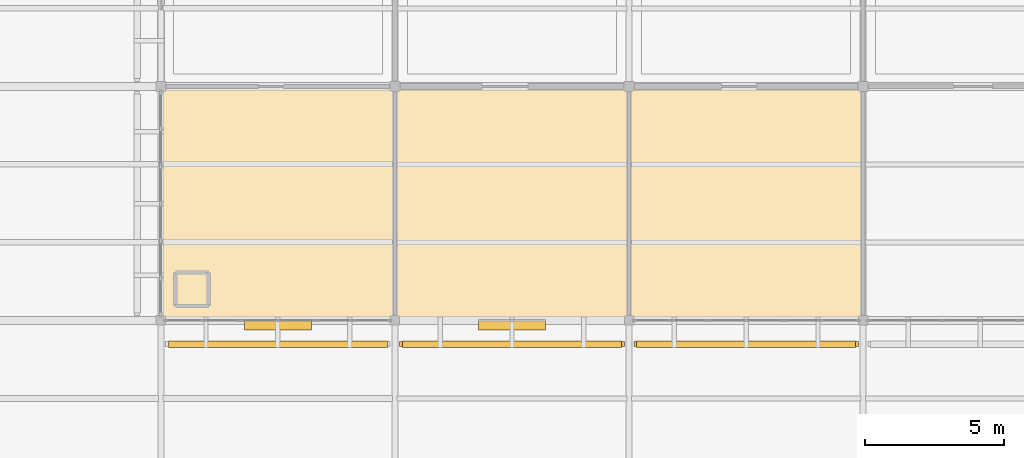
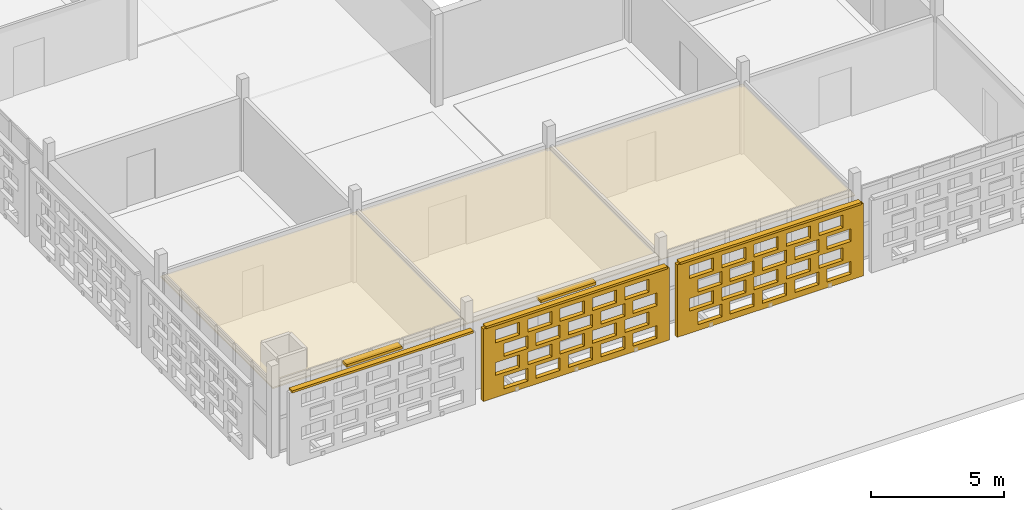
# One storey, part 151 of 166: 5 coverings, 5 shading devices, 40 openings.
"""IFC4 building model written with IfcOpenShell, lengths in metres."""

from ifc_helpers import new_model, si_unit, direction, frame, frame_2d, origin, origin_2d, place, context, subcontext, project, spatial, rectangle, extrude, material, layer, layer_set, type_object, element, save


model = new_model("IFC4")

# Units and contexts
model_context = context("Model", 3, precision=1e-05, world=origin(), true_north=direction((0.0, 1.0)))
body_context = subcontext(model_context, "Body", "Model", "MODEL_VIEW")
ifc_project = project(units=[si_unit("LENGTHUNIT", "METRE"), si_unit("AREAUNIT", "SQUARE_METRE"), si_unit("VOLUMEUNIT", "CUBIC_METRE"), si_unit("PLANEANGLEUNIT", "RADIAN"), si_unit("MASSUNIT", "GRAM", prefix="KILO")], contexts=[model_context])

# Site, building, storey
site_placement = place(None, origin())
site = spatial("IfcSite", under=ifc_project, at=site_placement, CompositionType="ELEMENT")
building_placement = place(site_placement, origin())
building = spatial("IfcBuilding", under=site, at=building_placement, Name="Varnapada Polytechnic", CompositionType="ELEMENT")
storey_placement = place(building_placement, frame((0.0, 0.0, 9.60009765625)))
storey = spatial("IfcBuildingStorey", under=building, at=storey_placement, Name="L02", CompositionType="ELEMENT", Elevation=9.60009765625)

# Shading devices
ifc_material_1 = material(Name="Anodised aluminium", Category="aluminium")
ifc_layer_1 = layer(ifc_material_1, 0.35009765625)
ifc_layer_set_1 = layer_set([ifc_layer_1], Name="Anodised aluminium")
shading_device_type_1 = type_object("IfcShadingDeviceType", Name="Solar Louvre LVR-01", PredefinedType="JALOUSIE", material=ifc_layer_set_1)
for number, where, z_axis, x_axis, name in (
    (1, (138.60009765625, 8.219970703125, 3.159912109375), (0.0, 0.0, 1.0), (-1.0, 0.0, 0.0), "L02 aluminium sun louvre 79"),
    (2, (147.0, 8.219970703125, 3.159912109375), (0.0, 0.0, 1.0), (-1.0, 0.0, 0.0), "L02 aluminium sun louvre 91"),
):
    element("IfcShadingDevice", number, at=place(storey_placement, frame(where, z_axis=z_axis, x_axis=x_axis)), inside=storey, type_object=shading_device_type_1, Name=name, PredefinedType="JALOUSIE", context=body_context, shape_type="SweptSolid", body=[
        extrude(rectangle(XDim=2.39990234375, YDim=0.340087890625, at=origin_2d()), origin(), (0.0, 0.0, 1.0), 0.1201171875),
    ])

# Coverings
ifc_material_2 = material(Name="Moisture-Resistant Aluminum Baffle Ceiling", Category="aluminium")
ifc_layer_2 = layer(ifc_material_2, 0.030029296875)
ifc_layer_set_2 = layer_set([ifc_layer_2], Name="Moisture-Resistant Aluminum Baffle Ceiling")
covering_type_1 = type_object("IfcCoveringType", Name="Suspended Ceiling CLG-03", PredefinedType="CEILING", material=ifc_layer_set_2)
covering_1_placement = place(storey_placement, frame((155.39990234375, 12.60009765625, 3.03466796875), z_axis=(0.0, 0.0, 1.0), x_axis=(1.0, 0.0, 0.0)))
element("IfcCovering", 3, at=covering_1_placement, inside=storey, type_object=covering_type_1, Name="L02 suspended acoustic ceiling (19,2)", PredefinedType="CEILING", context=body_context, shape_type="SweptSolid", body=[
    extrude(rectangle(XDim=8.419921875, YDim=8.419921875, at=origin_2d()), origin(), (0.0, 0.0, 1.0), 0.030029296875),
])
ifc_material_3 = material(Name="Slatted Merbau Timber Acoustic Ceiling", Category="wood")
ifc_layer_3 = layer(ifc_material_3, 0.054931640625)
ifc_layer_set_3 = layer_set([ifc_layer_3], Name="Slatted Merbau Timber Acoustic Ceiling")
covering_type_2 = type_object("IfcCoveringType", Name="Suspended Ceiling CLG-05", PredefinedType="CEILING", material=ifc_layer_set_3)
covering_2_placement = place(storey_placement, frame((147.0, 12.60009765625, 3.0224609375), z_axis=(0.0, 0.0, 1.0), x_axis=(1.0, 0.0, 0.0)))
element("IfcCovering", 4, at=covering_2_placement, inside=storey, type_object=covering_type_2, Name="L02 suspended acoustic ceiling (18,2)", PredefinedType="CEILING", context=body_context, shape_type="SweptSolid", body=[
    extrude(rectangle(XDim=8.419921875, YDim=8.419921875, at=origin_2d()), origin(), (0.0, 0.0, 1.0), 0.054931640625),
])
ifc_material_4 = material(Name="Deep Acoustic Auditorium Cloud Baffle")
ifc_layer_4 = layer(ifc_material_4, 0.06494140625)
ifc_layer_set_4 = layer_set([ifc_layer_4], Name="Deep Acoustic Auditorium Cloud Baffle")
covering_type_3 = type_object("IfcCoveringType", Name="Suspended Ceiling CLG-07", PredefinedType="CEILING", material=ifc_layer_set_4)
covering_3_placement = place(storey_placement, frame((138.60009765625, 12.60009765625, 3.017333984375), z_axis=(0.0, 0.0, 1.0), x_axis=(1.0, 0.0, 0.0)))
element("IfcCovering", 5, at=covering_3_placement, inside=storey, type_object=covering_type_3, Name="L02 suspended acoustic ceiling (17,2)", PredefinedType="CEILING", context=body_context, shape_type="SweptSolid", body=[
    extrude(rectangle(XDim=8.419921875, YDim=8.419921875, at=origin_2d()), origin(), (0.0, 0.0, 1.0), 0.06494140625),
])

# Covering, openings
ifc_material_5 = material(Name="Earth-toned architectural terracotta screen block", Category="masonry")
ifc_layer_5 = layer(ifc_material_5, 0.1201171875)
ifc_layer_set_5 = layer_set([ifc_layer_5], Name="Earth-toned architectural terracotta screen block")
covering_type_4 = type_object("IfcCoveringType", Name="Terracotta Screen Cladding CLD-01", PredefinedType="CLADDING", material=ifc_layer_set_5)
covering_4_placement = place(storey_placement, frame((151.030029296875, 7.550048828125, 0.0), z_axis=(0.0, 0.0, 1.0), x_axis=(-1.0, 0.0, 0.0)))
covering_4 = element("IfcCovering", 6, at=covering_4_placement, inside=storey, type_object=covering_type_4, Name="L02 perforated terracotta block screen (91)", PredefinedType="CLADDING", context=body_context, shape_type="SweptSolid", body=[
    extrude(rectangle(XDim=8.06005859375, YDim=0.179931640625, at=frame_2d((4.030029296875, 0.0))), origin(), (0.0, 0.0, 1.0), 3.31982421875),
])
opening_1_placement = place(covering_4_placement, frame((0.530029296875, 0.0, 0.265625)))
element("IfcOpeningElement", 7, at=opening_1_placement, cuts=covering_4, Name="Screen perforation TBS-L02-090.1", PredefinedType="OPENING", context=body_context, shape_type="SweptSolid", body=[
    extrude(rectangle(XDim=1.0400390625, YDim=0.5810546875, at=frame_2d((0.52001953125, 0.29052734375))), frame((0.0, 0.099853515625, 0.0), z_axis=(0.0, -1.0, 0.0), x_axis=(1.0, 0.0, 0.0)), (0.0, 0.0, 1.0), 0.199951171875),
])
opening_2_placement = place(covering_4_placement, frame((1.929931640625, 0.0, 0.265625)))
element("IfcOpeningElement", 8, at=opening_2_placement, cuts=covering_4, Name="Screen perforation TBS-L02-090.2", PredefinedType="OPENING", context=body_context, shape_type="SweptSolid", body=[
    extrude(rectangle(XDim=1.0400390625, YDim=0.5810546875, at=frame_2d((0.52001953125, 0.29052734375))), frame((0.0, 0.099853515625, 0.0), z_axis=(0.0, -1.0, 0.0), x_axis=(1.0, 0.0, 0.0)), (0.0, 0.0, 1.0), 0.199951171875),
])
opening_3_placement = place(covering_4_placement, frame((3.330078125, 0.0, 0.265625)))
element("IfcOpeningElement", 9, at=opening_3_placement, cuts=covering_4, Name="Screen perforation TBS-L02-090.3", PredefinedType="OPENING", context=body_context, shape_type="SweptSolid", body=[
    extrude(rectangle(XDim=1.0400390625, YDim=0.5810546875, at=frame_2d((0.52001953125, 0.29052734375))), frame((0.0, 0.099853515625, 0.0), z_axis=(0.0, -1.0, 0.0), x_axis=(1.0, 0.0, 0.0)), (0.0, 0.0, 1.0), 0.199951171875),
])
opening_4_placement = place(covering_4_placement, frame((4.72998046875, 0.0, 0.265625)))
element("IfcOpeningElement", 10, at=opening_4_placement, cuts=covering_4, Name="Screen perforation TBS-L02-090.4", PredefinedType="OPENING", context=body_context, shape_type="SweptSolid", body=[
    extrude(rectangle(XDim=1.0400390625, YDim=0.5810546875, at=frame_2d((0.52001953125, 0.29052734375))), frame((0.0, 0.099853515625, 0.0), z_axis=(0.0, -1.0, 0.0), x_axis=(1.0, 0.0, 0.0)), (0.0, 0.0, 1.0), 0.199951171875),
])
opening_5_placement = place(covering_4_placement, frame((6.1298828125, 0.0, 0.265625)))
element("IfcOpeningElement", 11, at=opening_5_placement, cuts=covering_4, Name="Screen perforation TBS-L02-090.5", PredefinedType="OPENING", context=body_context, shape_type="SweptSolid", body=[
    extrude(rectangle(XDim=1.0400390625, YDim=0.5810546875, at=frame_2d((0.52001953125, 0.29052734375))), frame((0.0, 0.099853515625, 0.0), z_axis=(0.0, -1.0, 0.0), x_axis=(1.0, 0.0, 0.0)), (0.0, 0.0, 1.0), 0.199951171875),
])
opening_6_placement = place(covering_4_placement, frame((0.889892578125, 0.0, 1.0126953125)))
element("IfcOpeningElement", 12, at=opening_6_placement, cuts=covering_4, Name="Screen perforation TBS-L02-090.6", PredefinedType="OPENING", context=body_context, shape_type="SweptSolid", body=[
    extrude(rectangle(XDim=1.0400390625, YDim=0.5810546875, at=frame_2d((0.52001953125, 0.29052734375))), frame((0.0, 0.099853515625, 0.0), z_axis=(0.0, -1.0, 0.0), x_axis=(1.0, 0.0, 0.0)), (0.0, 0.0, 1.0), 0.199951171875),
])
opening_7_placement = place(covering_4_placement, frame((2.2900390625, 0.0, 1.0126953125)))
element("IfcOpeningElement", 13, at=opening_7_placement, cuts=covering_4, Name="Screen perforation TBS-L02-090.7", PredefinedType="OPENING", context=body_context, shape_type="SweptSolid", body=[
    extrude(rectangle(XDim=1.0400390625, YDim=0.5810546875, at=frame_2d((0.52001953125, 0.29052734375))), frame((0.0, 0.099853515625, 0.0), z_axis=(0.0, -1.0, 0.0), x_axis=(1.0, 0.0, 0.0)), (0.0, 0.0, 1.0), 0.199951171875),
])
opening_8_placement = place(covering_4_placement, frame((3.68994140625, 0.0, 1.0126953125)))
element("IfcOpeningElement", 14, at=opening_8_placement, cuts=covering_4, Name="Screen perforation TBS-L02-090.8", PredefinedType="OPENING", context=body_context, shape_type="SweptSolid", body=[
    extrude(rectangle(XDim=1.0400390625, YDim=0.5810546875, at=frame_2d((0.52001953125, 0.29052734375))), frame((0.0, 0.099853515625, 0.0), z_axis=(0.0, -1.0, 0.0), x_axis=(1.0, 0.0, 0.0)), (0.0, 0.0, 1.0), 0.199951171875),
])
opening_9_placement = place(covering_4_placement, frame((5.090087890625, 0.0, 1.0126953125)))
element("IfcOpeningElement", 15, at=opening_9_placement, cuts=covering_4, Name="Screen perforation TBS-L02-090.9", PredefinedType="OPENING", context=body_context, shape_type="SweptSolid", body=[
    extrude(rectangle(XDim=1.0400390625, YDim=0.5810546875, at=frame_2d((0.52001953125, 0.29052734375))), frame((0.0, 0.099853515625, 0.0), z_axis=(0.0, -1.0, 0.0), x_axis=(1.0, 0.0, 0.0)), (0.0, 0.0, 1.0), 0.199951171875),
])
opening_10_placement = place(covering_4_placement, frame((6.489990234375, 0.0, 1.0126953125)))
element("IfcOpeningElement", 16, at=opening_10_placement, cuts=covering_4, Name="Screen perforation TBS-L02-090.10", PredefinedType="OPENING", context=body_context, shape_type="SweptSolid", body=[
    extrude(rectangle(XDim=1.0400390625, YDim=0.5810546875, at=frame_2d((0.52001953125, 0.29052734375))), frame((0.0, 0.099853515625, 0.0), z_axis=(0.0, -1.0, 0.0), x_axis=(1.0, 0.0, 0.0)), (0.0, 0.0, 1.0), 0.199951171875),
])
opening_11_placement = place(covering_4_placement, frame((0.530029296875, 0.0, 1.759521484375)))
element("IfcOpeningElement", 17, at=opening_11_placement, cuts=covering_4, Name="Screen perforation TBS-L02-090.11", PredefinedType="OPENING", context=body_context, shape_type="SweptSolid", body=[
    extrude(rectangle(XDim=1.0400390625, YDim=0.5810546875, at=frame_2d((0.52001953125, 0.29052734375))), frame((0.0, 0.099853515625, 0.0), z_axis=(0.0, -1.0, 0.0), x_axis=(1.0, 0.0, 0.0)), (0.0, 0.0, 1.0), 0.199951171875),
])
opening_12_placement = place(covering_4_placement, frame((1.929931640625, 0.0, 1.759521484375)))
element("IfcOpeningElement", 18, at=opening_12_placement, cuts=covering_4, Name="Screen perforation TBS-L02-090.12", PredefinedType="OPENING", context=body_context, shape_type="SweptSolid", body=[
    extrude(rectangle(XDim=1.0400390625, YDim=0.5810546875, at=frame_2d((0.52001953125, 0.29052734375))), frame((0.0, 0.099853515625, 0.0), z_axis=(0.0, -1.0, 0.0), x_axis=(1.0, 0.0, 0.0)), (0.0, 0.0, 1.0), 0.199951171875),
])
opening_13_placement = place(covering_4_placement, frame((3.330078125, 0.0, 1.759521484375)))
element("IfcOpeningElement", 19, at=opening_13_placement, cuts=covering_4, Name="Screen perforation TBS-L02-090.13", PredefinedType="OPENING", context=body_context, shape_type="SweptSolid", body=[
    extrude(rectangle(XDim=1.0400390625, YDim=0.5810546875, at=frame_2d((0.52001953125, 0.29052734375))), frame((0.0, 0.099853515625, 0.0), z_axis=(0.0, -1.0, 0.0), x_axis=(1.0, 0.0, 0.0)), (0.0, 0.0, 1.0), 0.199951171875),
])
opening_14_placement = place(covering_4_placement, frame((4.72998046875, 0.0, 1.759521484375)))
element("IfcOpeningElement", 20, at=opening_14_placement, cuts=covering_4, Name="Screen perforation TBS-L02-090.14", PredefinedType="OPENING", context=body_context, shape_type="SweptSolid", body=[
    extrude(rectangle(XDim=1.0400390625, YDim=0.5810546875, at=frame_2d((0.52001953125, 0.29052734375))), frame((0.0, 0.099853515625, 0.0), z_axis=(0.0, -1.0, 0.0), x_axis=(1.0, 0.0, 0.0)), (0.0, 0.0, 1.0), 0.199951171875),
])
opening_15_placement = place(covering_4_placement, frame((6.1298828125, 0.0, 1.759521484375)))
element("IfcOpeningElement", 21, at=opening_15_placement, cuts=covering_4, Name="Screen perforation TBS-L02-090.15", PredefinedType="OPENING", context=body_context, shape_type="SweptSolid", body=[
    extrude(rectangle(XDim=1.0400390625, YDim=0.5810546875, at=frame_2d((0.52001953125, 0.29052734375))), frame((0.0, 0.099853515625, 0.0), z_axis=(0.0, -1.0, 0.0), x_axis=(1.0, 0.0, 0.0)), (0.0, 0.0, 1.0), 0.199951171875),
])
opening_16_placement = place(covering_4_placement, frame((0.889892578125, 0.0, 2.506591796875)))
element("IfcOpeningElement", 22, at=opening_16_placement, cuts=covering_4, Name="Screen perforation TBS-L02-090.16", PredefinedType="OPENING", context=body_context, shape_type="SweptSolid", body=[
    extrude(rectangle(XDim=1.0400390625, YDim=0.5810546875, at=frame_2d((0.52001953125, 0.29052734375))), frame((0.0, 0.099853515625, 0.0), z_axis=(0.0, -1.0, 0.0), x_axis=(1.0, 0.0, 0.0)), (0.0, 0.0, 1.0), 0.199951171875),
])
opening_17_placement = place(covering_4_placement, frame((2.2900390625, 0.0, 2.506591796875)))
element("IfcOpeningElement", 23, at=opening_17_placement, cuts=covering_4, Name="Screen perforation TBS-L02-090.17", PredefinedType="OPENING", context=body_context, shape_type="SweptSolid", body=[
    extrude(rectangle(XDim=1.0400390625, YDim=0.5810546875, at=frame_2d((0.52001953125, 0.29052734375))), frame((0.0, 0.099853515625, 0.0), z_axis=(0.0, -1.0, 0.0), x_axis=(1.0, 0.0, 0.0)), (0.0, 0.0, 1.0), 0.199951171875),
])
opening_18_placement = place(covering_4_placement, frame((3.68994140625, 0.0, 2.506591796875)))
element("IfcOpeningElement", 24, at=opening_18_placement, cuts=covering_4, Name="Screen perforation TBS-L02-090.18", PredefinedType="OPENING", context=body_context, shape_type="SweptSolid", body=[
    extrude(rectangle(XDim=1.0400390625, YDim=0.5810546875, at=frame_2d((0.52001953125, 0.29052734375))), frame((0.0, 0.099853515625, 0.0), z_axis=(0.0, -1.0, 0.0), x_axis=(1.0, 0.0, 0.0)), (0.0, 0.0, 1.0), 0.199951171875),
])
opening_19_placement = place(covering_4_placement, frame((5.090087890625, 0.0, 2.506591796875)))
element("IfcOpeningElement", 25, at=opening_19_placement, cuts=covering_4, Name="Screen perforation TBS-L02-090.19", PredefinedType="OPENING", context=body_context, shape_type="SweptSolid", body=[
    extrude(rectangle(XDim=1.0400390625, YDim=0.5810546875, at=frame_2d((0.52001953125, 0.29052734375))), frame((0.0, 0.099853515625, 0.0), z_axis=(0.0, -1.0, 0.0), x_axis=(1.0, 0.0, 0.0)), (0.0, 0.0, 1.0), 0.199951171875),
])
opening_20_placement = place(covering_4_placement, frame((6.489990234375, 0.0, 2.506591796875)))
element("IfcOpeningElement", 26, at=opening_20_placement, cuts=covering_4, Name="Screen perforation TBS-L02-090.20", PredefinedType="OPENING", context=body_context, shape_type="SweptSolid", body=[
    extrude(rectangle(XDim=1.0400390625, YDim=0.5810546875, at=frame_2d((0.52001953125, 0.29052734375))), frame((0.0, 0.099853515625, 0.0), z_axis=(0.0, -1.0, 0.0), x_axis=(1.0, 0.0, 0.0)), (0.0, 0.0, 1.0), 0.199951171875),
])

covering_5_placement = place(storey_placement, frame((159.429931640625, 7.550048828125, 0.0), z_axis=(0.0, 0.0, 1.0), x_axis=(-1.0, 0.0, 0.0)))
covering_5 = element("IfcCovering", 27, at=covering_5_placement, inside=storey, type_object=covering_type_4, Name="L02 perforated terracotta block screen (95)", PredefinedType="CLADDING", context=body_context, shape_type="SweptSolid", body=[
    extrude(rectangle(XDim=8.059814453125, YDim=0.179931640625, at=frame_2d((4.02978515625, 0.0))), origin(), (0.0, 0.0, 1.0), 3.31982421875),
])
opening_21_placement = place(covering_5_placement, frame((0.530029296875, 0.0, 0.265625)))
element("IfcOpeningElement", 28, at=opening_21_placement, cuts=covering_5, Name="Screen perforation TBS-L02-094.1", PredefinedType="OPENING", context=body_context, shape_type="SweptSolid", body=[
    extrude(rectangle(XDim=1.0400390625, YDim=0.5810546875, at=frame_2d((0.52001953125, 0.29052734375))), frame((0.0, 0.099853515625, 0.0), z_axis=(0.0, -1.0, 0.0), x_axis=(1.0, 0.0, 0.0)), (0.0, 0.0, 1.0), 0.199951171875),
])
opening_22_placement = place(covering_5_placement, frame((1.929931640625, 0.0, 0.265625)))
element("IfcOpeningElement", 29, at=opening_22_placement, cuts=covering_5, Name="Screen perforation TBS-L02-094.2", PredefinedType="OPENING", context=body_context, shape_type="SweptSolid", body=[
    extrude(rectangle(XDim=1.0400390625, YDim=0.5810546875, at=frame_2d((0.52001953125, 0.29052734375))), frame((0.0, 0.099853515625, 0.0), z_axis=(0.0, -1.0, 0.0), x_axis=(1.0, 0.0, 0.0)), (0.0, 0.0, 1.0), 0.199951171875),
])
opening_23_placement = place(covering_5_placement, frame((3.330078125, 0.0, 0.265625)))
element("IfcOpeningElement", 30, at=opening_23_placement, cuts=covering_5, Name="Screen perforation TBS-L02-094.3", PredefinedType="OPENING", context=body_context, shape_type="SweptSolid", body=[
    extrude(rectangle(XDim=1.0400390625, YDim=0.5810546875, at=frame_2d((0.52001953125, 0.29052734375))), frame((0.0, 0.099853515625, 0.0), z_axis=(0.0, -1.0, 0.0), x_axis=(1.0, 0.0, 0.0)), (0.0, 0.0, 1.0), 0.199951171875),
])
opening_24_placement = place(covering_5_placement, frame((4.72998046875, 0.0, 0.265625)))
element("IfcOpeningElement", 31, at=opening_24_placement, cuts=covering_5, Name="Screen perforation TBS-L02-094.4", PredefinedType="OPENING", context=body_context, shape_type="SweptSolid", body=[
    extrude(rectangle(XDim=1.0400390625, YDim=0.5810546875, at=frame_2d((0.52001953125, 0.29052734375))), frame((0.0, 0.099853515625, 0.0), z_axis=(0.0, -1.0, 0.0), x_axis=(1.0, 0.0, 0.0)), (0.0, 0.0, 1.0), 0.199951171875),
])
opening_25_placement = place(covering_5_placement, frame((6.1298828125, 0.0, 0.265625)))
element("IfcOpeningElement", 32, at=opening_25_placement, cuts=covering_5, Name="Screen perforation TBS-L02-094.5", PredefinedType="OPENING", context=body_context, shape_type="SweptSolid", body=[
    extrude(rectangle(XDim=1.0400390625, YDim=0.5810546875, at=frame_2d((0.52001953125, 0.29052734375))), frame((0.0, 0.099853515625, 0.0), z_axis=(0.0, -1.0, 0.0), x_axis=(1.0, 0.0, 0.0)), (0.0, 0.0, 1.0), 0.199951171875),
])
opening_26_placement = place(covering_5_placement, frame((0.889892578125, 0.0, 1.0126953125)))
element("IfcOpeningElement", 33, at=opening_26_placement, cuts=covering_5, Name="Screen perforation TBS-L02-094.6", PredefinedType="OPENING", context=body_context, shape_type="SweptSolid", body=[
    extrude(rectangle(XDim=1.0400390625, YDim=0.5810546875, at=frame_2d((0.52001953125, 0.29052734375))), frame((0.0, 0.099853515625, 0.0), z_axis=(0.0, -1.0, 0.0), x_axis=(1.0, 0.0, 0.0)), (0.0, 0.0, 1.0), 0.199951171875),
])
opening_27_placement = place(covering_5_placement, frame((2.2900390625, 0.0, 1.0126953125)))
element("IfcOpeningElement", 34, at=opening_27_placement, cuts=covering_5, Name="Screen perforation TBS-L02-094.7", PredefinedType="OPENING", context=body_context, shape_type="SweptSolid", body=[
    extrude(rectangle(XDim=1.0400390625, YDim=0.5810546875, at=frame_2d((0.52001953125, 0.29052734375))), frame((0.0, 0.099853515625, 0.0), z_axis=(0.0, -1.0, 0.0), x_axis=(1.0, 0.0, 0.0)), (0.0, 0.0, 1.0), 0.199951171875),
])
opening_28_placement = place(covering_5_placement, frame((3.68994140625, 0.0, 1.0126953125)))
element("IfcOpeningElement", 35, at=opening_28_placement, cuts=covering_5, Name="Screen perforation TBS-L02-094.8", PredefinedType="OPENING", context=body_context, shape_type="SweptSolid", body=[
    extrude(rectangle(XDim=1.0400390625, YDim=0.5810546875, at=frame_2d((0.52001953125, 0.29052734375))), frame((0.0, 0.099853515625, 0.0), z_axis=(0.0, -1.0, 0.0), x_axis=(1.0, 0.0, 0.0)), (0.0, 0.0, 1.0), 0.199951171875),
])
opening_29_placement = place(covering_5_placement, frame((5.090087890625, 0.0, 1.0126953125)))
element("IfcOpeningElement", 36, at=opening_29_placement, cuts=covering_5, Name="Screen perforation TBS-L02-094.9", PredefinedType="OPENING", context=body_context, shape_type="SweptSolid", body=[
    extrude(rectangle(XDim=1.0400390625, YDim=0.5810546875, at=frame_2d((0.52001953125, 0.29052734375))), frame((0.0, 0.099853515625, 0.0), z_axis=(0.0, -1.0, 0.0), x_axis=(1.0, 0.0, 0.0)), (0.0, 0.0, 1.0), 0.199951171875),
])
opening_30_placement = place(covering_5_placement, frame((6.489990234375, 0.0, 1.0126953125)))
element("IfcOpeningElement", 37, at=opening_30_placement, cuts=covering_5, Name="Screen perforation TBS-L02-094.10", PredefinedType="OPENING", context=body_context, shape_type="SweptSolid", body=[
    extrude(rectangle(XDim=1.0400390625, YDim=0.5810546875, at=frame_2d((0.52001953125, 0.29052734375))), frame((0.0, 0.099853515625, 0.0), z_axis=(0.0, -1.0, 0.0), x_axis=(1.0, 0.0, 0.0)), (0.0, 0.0, 1.0), 0.199951171875),
])
opening_31_placement = place(covering_5_placement, frame((0.530029296875, 0.0, 1.759521484375)))
element("IfcOpeningElement", 38, at=opening_31_placement, cuts=covering_5, Name="Screen perforation TBS-L02-094.11", PredefinedType="OPENING", context=body_context, shape_type="SweptSolid", body=[
    extrude(rectangle(XDim=1.0400390625, YDim=0.5810546875, at=frame_2d((0.52001953125, 0.29052734375))), frame((0.0, 0.099853515625, 0.0), z_axis=(0.0, -1.0, 0.0), x_axis=(1.0, 0.0, 0.0)), (0.0, 0.0, 1.0), 0.199951171875),
])
opening_32_placement = place(covering_5_placement, frame((1.929931640625, 0.0, 1.759521484375)))
element("IfcOpeningElement", 39, at=opening_32_placement, cuts=covering_5, Name="Screen perforation TBS-L02-094.12", PredefinedType="OPENING", context=body_context, shape_type="SweptSolid", body=[
    extrude(rectangle(XDim=1.0400390625, YDim=0.5810546875, at=frame_2d((0.52001953125, 0.29052734375))), frame((0.0, 0.099853515625, 0.0), z_axis=(0.0, -1.0, 0.0), x_axis=(1.0, 0.0, 0.0)), (0.0, 0.0, 1.0), 0.199951171875),
])
opening_33_placement = place(covering_5_placement, frame((3.330078125, 0.0, 1.759521484375)))
element("IfcOpeningElement", 40, at=opening_33_placement, cuts=covering_5, Name="Screen perforation TBS-L02-094.13", PredefinedType="OPENING", context=body_context, shape_type="SweptSolid", body=[
    extrude(rectangle(XDim=1.0400390625, YDim=0.5810546875, at=frame_2d((0.52001953125, 0.29052734375))), frame((0.0, 0.099853515625, 0.0), z_axis=(0.0, -1.0, 0.0), x_axis=(1.0, 0.0, 0.0)), (0.0, 0.0, 1.0), 0.199951171875),
])
opening_34_placement = place(covering_5_placement, frame((4.72998046875, 0.0, 1.759521484375)))
element("IfcOpeningElement", 41, at=opening_34_placement, cuts=covering_5, Name="Screen perforation TBS-L02-094.14", PredefinedType="OPENING", context=body_context, shape_type="SweptSolid", body=[
    extrude(rectangle(XDim=1.0400390625, YDim=0.5810546875, at=frame_2d((0.52001953125, 0.29052734375))), frame((0.0, 0.099853515625, 0.0), z_axis=(0.0, -1.0, 0.0), x_axis=(1.0, 0.0, 0.0)), (0.0, 0.0, 1.0), 0.199951171875),
])
opening_35_placement = place(covering_5_placement, frame((6.1298828125, 0.0, 1.759521484375)))
element("IfcOpeningElement", 42, at=opening_35_placement, cuts=covering_5, Name="Screen perforation TBS-L02-094.15", PredefinedType="OPENING", context=body_context, shape_type="SweptSolid", body=[
    extrude(rectangle(XDim=1.0400390625, YDim=0.5810546875, at=frame_2d((0.52001953125, 0.29052734375))), frame((0.0, 0.099853515625, 0.0), z_axis=(0.0, -1.0, 0.0), x_axis=(1.0, 0.0, 0.0)), (0.0, 0.0, 1.0), 0.199951171875),
])
opening_36_placement = place(covering_5_placement, frame((0.889892578125, 0.0, 2.506591796875)))
element("IfcOpeningElement", 43, at=opening_36_placement, cuts=covering_5, Name="Screen perforation TBS-L02-094.16", PredefinedType="OPENING", context=body_context, shape_type="SweptSolid", body=[
    extrude(rectangle(XDim=1.0400390625, YDim=0.5810546875, at=frame_2d((0.52001953125, 0.29052734375))), frame((0.0, 0.099853515625, 0.0), z_axis=(0.0, -1.0, 0.0), x_axis=(1.0, 0.0, 0.0)), (0.0, 0.0, 1.0), 0.199951171875),
])
opening_37_placement = place(covering_5_placement, frame((2.2900390625, 0.0, 2.506591796875)))
element("IfcOpeningElement", 44, at=opening_37_placement, cuts=covering_5, Name="Screen perforation TBS-L02-094.17", PredefinedType="OPENING", context=body_context, shape_type="SweptSolid", body=[
    extrude(rectangle(XDim=1.0400390625, YDim=0.5810546875, at=frame_2d((0.52001953125, 0.29052734375))), frame((0.0, 0.099853515625, 0.0), z_axis=(0.0, -1.0, 0.0), x_axis=(1.0, 0.0, 0.0)), (0.0, 0.0, 1.0), 0.199951171875),
])
opening_38_placement = place(covering_5_placement, frame((3.68994140625, 0.0, 2.506591796875)))
element("IfcOpeningElement", 45, at=opening_38_placement, cuts=covering_5, Name="Screen perforation TBS-L02-094.18", PredefinedType="OPENING", context=body_context, shape_type="SweptSolid", body=[
    extrude(rectangle(XDim=1.0400390625, YDim=0.5810546875, at=frame_2d((0.52001953125, 0.29052734375))), frame((0.0, 0.099853515625, 0.0), z_axis=(0.0, -1.0, 0.0), x_axis=(1.0, 0.0, 0.0)), (0.0, 0.0, 1.0), 0.199951171875),
])
opening_39_placement = place(covering_5_placement, frame((5.090087890625, 0.0, 2.506591796875)))
element("IfcOpeningElement", 46, at=opening_39_placement, cuts=covering_5, Name="Screen perforation TBS-L02-094.19", PredefinedType="OPENING", context=body_context, shape_type="SweptSolid", body=[
    extrude(rectangle(XDim=1.0400390625, YDim=0.5810546875, at=frame_2d((0.52001953125, 0.29052734375))), frame((0.0, 0.099853515625, 0.0), z_axis=(0.0, -1.0, 0.0), x_axis=(1.0, 0.0, 0.0)), (0.0, 0.0, 1.0), 0.199951171875),
])
opening_40_placement = place(covering_5_placement, frame((6.489990234375, 0.0, 2.506591796875)))
element("IfcOpeningElement", 47, at=opening_40_placement, cuts=covering_5, Name="Screen perforation TBS-L02-094.20", PredefinedType="OPENING", context=body_context, shape_type="SweptSolid", body=[
    extrude(rectangle(XDim=1.0400390625, YDim=0.5810546875, at=frame_2d((0.52001953125, 0.29052734375))), frame((0.0, 0.099853515625, 0.0), z_axis=(0.0, -1.0, 0.0), x_axis=(1.0, 0.0, 0.0)), (0.0, 0.0, 1.0), 0.199951171875),
])

# Shading devices
ifc_layer_6 = layer(ifc_material_5, 0.179931640625)
ifc_layer_set_6 = layer_set([ifc_layer_6], Name="Earth-toned architectural terracotta screen block")
shading_device_type_2 = type_object("IfcShadingDeviceType", Name="Terracotta Screen SCR-01", PredefinedType="USERDEFINED", material=ifc_layer_set_6)
for number, where, z_axis, x_axis, name in (
    (48, (138.60009765625, 7.550048828125, 3.309814453125), (0.0, 0.0, 1.0), (-1.0, 0.0, 0.0), "L02 perforated terracotta screen hood 303"),
    (49, (147.0, 7.550048828125, 3.309814453125), (0.0, 0.0, 1.0), (-1.0, 0.0, 0.0), "L02 perforated terracotta screen hood 315"),
    (50, (155.39990234375, 7.550048828125, 3.309814453125), (0.0, 0.0, 1.0), (-1.0, 0.0, 0.0), "L02 perforated terracotta screen hood 319"),
):
    element("IfcShadingDevice", number, at=place(storey_placement, frame(where, z_axis=z_axis, x_axis=x_axis)), inside=storey, type_object=shading_device_type_2, Name=name, ObjectType="SCREEN", PredefinedType="USERDEFINED", context=body_context, shape_type="SweptSolid", body=[
        extrude(rectangle(XDim=7.860107421875, YDim=0.239990234375, at=origin_2d()), origin(), (0.0, 0.0, 1.0), 0.10009765625),
    ])

save(model, "model.ifc")
